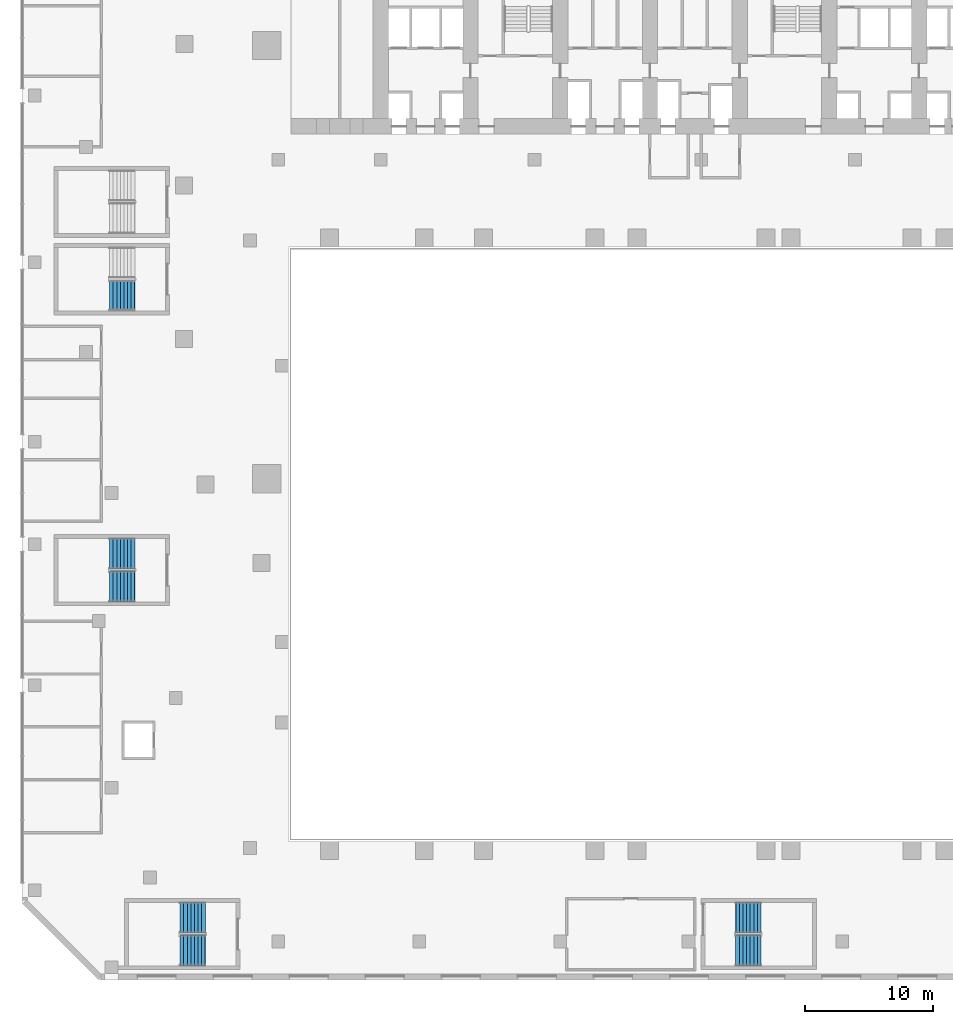
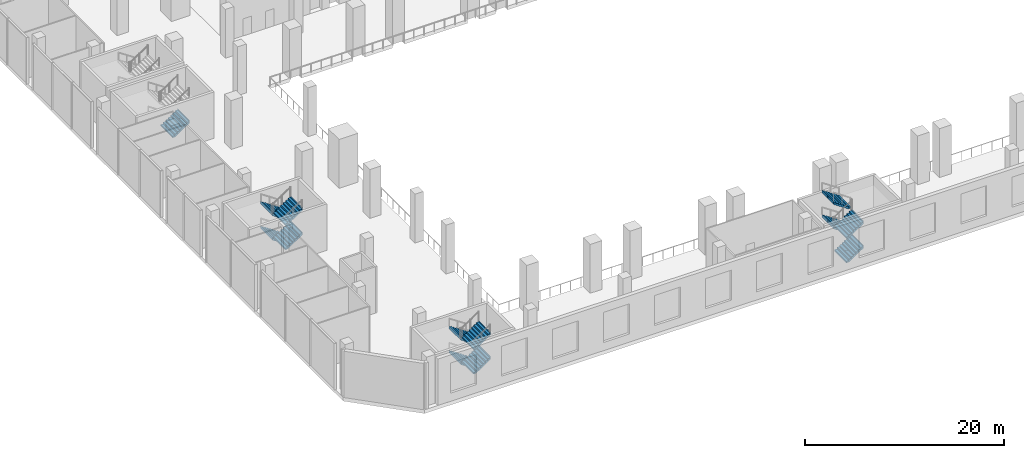
# One storey, part 18 of 30: 13 stair flights, 4 elements without a shape of their own.
"""IFC4 building model written with IfcOpenShell, lengths in metres."""

from ifc_helpers import new_model, si_unit, direction, frame, origin, place, context, subcontext, project, spatial, polyline, outline, extrude, material, type_object, element, aggregate, save


model = new_model("IFC4")

# Units and contexts
model_context = context("Model", 3, precision=1e-05, world=origin(), true_north=direction((0.0, 1.0)))
body_context = subcontext(model_context, "Body", "Model", "MODEL_VIEW")
ifc_project = project(units=[si_unit("LENGTHUNIT", "METRE"), si_unit("AREAUNIT", "SQUARE_METRE"), si_unit("VOLUMEUNIT", "CUBIC_METRE"), si_unit("PLANEANGLEUNIT", "RADIAN"), si_unit("MASSUNIT", "GRAM", prefix="KILO")], contexts=[model_context])

# Site, building, storey
site_placement = place(None, origin())
site = spatial("IfcSite", under=ifc_project, at=site_placement, CompositionType="ELEMENT")
building_placement = place(site_placement, origin())
building = spatial("IfcBuilding", under=site, at=building_placement, Name="Wharfspan Tower", CompositionType="ELEMENT")
storey_placement = place(building_placement, frame((0.0, 0.0, 21.5)))
storey = spatial("IfcBuildingStorey", under=building, at=storey_placement, Name="L03", CompositionType="ELEMENT", Elevation=21.5)

# Stair, stair flights
ifc_material = material(Name="Concrete C40/50", Category="concrete")
stair_type = type_object("IfcStairType", Name="Half-turn stair 2400 wide 32 risers 188 mm", PredefinedType="HALF_TURN_STAIR", material=ifc_material)
stair_1_placement = place(storey_placement, origin())
stair_1 = element("IfcStair", 1, at=stair_1_placement, inside=storey, type_object=stair_type, Name="L03 stair AS1", PredefinedType="HALF_TURN_STAIR")
stair_flight_type = type_object("IfcStairFlightType", Name="Stair flight 2400 wide 32 risers 188 mm", PredefinedType="STRAIGHT", material=ifc_material)
stair_flight_1_placement = place(storey_placement, frame((2.300049, -27.149902, 0.0), z_axis=(0.0, 0.0, 1.0), x_axis=(-1.0, 0.0, 0.0)))
stair_flight_1 = element("IfcStairFlight", 2, at=stair_flight_1_placement, type_object=stair_flight_type, Name="AS1 flight 1", NumberOfRisers=8, NumberOfTreads=7, PredefinedType="STRAIGHT", RiserHeight=0.1875, TreadLength=0.28, context=body_context, shape_type="SweptSolid", body=[
    extrude(outline(polyline([(-0.011963, 0.0), (-0.011963, 0.1875), (0.0, 0.1875), (0.280029, 0.1875), (0.280029, 0.375), (0.560059, 0.375), (0.560059, 0.5625), (0.840088, 0.5625), (0.840088, 0.75), (1.120117, 0.75), (1.120117, 0.9375), (1.399902, 0.9375), (1.399902, 1.125), (1.679932, 1.125), (1.679932, 1.3125), (1.959961, 1.3125), (1.971924, 1.5), (1.971924, 1.13208), (0.269531, 0.0), (-0.011963, 0.0)])), frame((0.0, 1.199951, 0.0), z_axis=(0.0, -1.0, 0.0), x_axis=(1.0, 0.0, 0.0)), (0.0, 0.0, 1.0), 1.179443),
    extrude(outline(polyline([(-0.011963, 0.0), (-0.011963, 0.1875), (0.0, 0.1875), (0.280029, 0.1875), (0.280029, 0.375), (0.560059, 0.375), (0.560059, 0.5625), (0.840088, 0.5625), (0.840088, 0.75), (1.120117, 0.75), (1.120117, 0.9375), (1.399902, 0.9375), (1.399902, 1.125), (1.679932, 1.125), (1.679932, 1.3125), (1.959961, 1.3125), (1.971924, 1.5), (1.971924, 1.13208), (0.269531, 0.0), (-0.011963, 0.0)])), frame((0.0, 0.019531, 0.0), z_axis=(0.0, -1.0, 0.0), x_axis=(1.0, 0.0, 0.0)), (0.0, 0.0, 1.0), 0.019043),
    extrude(outline(polyline([(-0.011963, 0.0), (-0.011963, 0.1875), (0.0, 0.1875), (0.280029, 0.1875), (0.280029, 0.375), (0.560059, 0.375), (0.560059, 0.5625), (0.840088, 0.5625), (0.840088, 0.75), (1.120117, 0.75), (1.120117, 0.9375), (1.399902, 0.9375), (1.399902, 1.125), (1.679932, 1.125), (1.679932, 1.3125), (1.959961, 1.3125), (1.971924, 1.5), (1.971924, 1.13208), (0.269531, 0.0), (-0.011963, 0.0)])), frame((0.0, -0.000488, 0.0), z_axis=(0.0, -1.0, 0.0), x_axis=(1.0, 0.0, 0.0)), (0.0, 0.0, 1.0), 0.019043),
    extrude(outline(polyline([(-0.011963, 0.0), (-0.011963, 0.1875), (0.0, 0.1875), (0.280029, 0.1875), (0.280029, 0.375), (0.560059, 0.375), (0.560059, 0.5625), (0.840088, 0.5625), (0.840088, 0.75), (1.120117, 0.75), (1.120117, 0.9375), (1.399902, 0.9375), (1.399902, 1.125), (1.679932, 1.125), (1.679932, 1.3125), (1.959961, 1.3125), (1.971924, 1.5), (1.971924, 1.13208), (0.269531, 0.0), (-0.011963, 0.0)])), frame((0.0, -0.020508, 0.0), z_axis=(0.0, -1.0, 0.0), x_axis=(1.0, 0.0, 0.0)), (0.0, 0.0, 1.0), 1.179443),
])
stair_flight_2_placement = place(storey_placement, frame((0.340088, -29.699951, 1.5), z_axis=(0.0, 0.0, 1.0), x_axis=(1.0, 0.0, 0.0)))
stair_flight_2 = element("IfcStairFlight", 3, at=stair_flight_2_placement, type_object=stair_flight_type, Name="AS1 flight 2", NumberOfRisers=8, NumberOfTreads=7, PredefinedType="STRAIGHT", RiserHeight=0.1875, TreadLength=0.28, context=body_context, shape_type="SweptSolid", body=[
    extrude(outline(polyline([(-0.011963, 0.0), (-0.011963, 0.1875), (0.0, 0.1875), (0.280029, 0.1875), (0.280029, 0.375), (0.560059, 0.375), (0.560059, 0.5625), (0.840088, 0.5625), (0.840088, 0.75), (1.120117, 0.75), (1.120117, 0.9375), (1.399902, 0.9375), (1.399902, 1.125), (1.679932, 1.125), (1.679932, 1.3125), (1.959961, 1.3125), (1.971924, 1.5), (1.971924, 1.13208), (0.269531, 0.0), (-0.011963, 0.0)])), frame((0.0, 1.199951, 0.0), z_axis=(0.0, -1.0, 0.0), x_axis=(1.0, 0.0, 0.0)), (0.0, 0.0, 1.0), 1.179443),
    extrude(outline(polyline([(-0.011963, 0.0), (-0.011963, 0.1875), (0.0, 0.1875), (0.280029, 0.1875), (0.280029, 0.375), (0.560059, 0.375), (0.560059, 0.5625), (0.840088, 0.5625), (0.840088, 0.75), (1.120117, 0.75), (1.120117, 0.9375), (1.399902, 0.9375), (1.399902, 1.125), (1.679932, 1.125), (1.679932, 1.3125), (1.959961, 1.3125), (1.971924, 1.5), (1.971924, 1.13208), (0.269531, 0.0), (-0.011963, 0.0)])), frame((0.0, 0.019531, 0.0), z_axis=(0.0, -1.0, 0.0), x_axis=(1.0, 0.0, 0.0)), (0.0, 0.0, 1.0), 0.019043),
    extrude(outline(polyline([(-0.011963, 0.0), (-0.011963, 0.1875), (0.0, 0.1875), (0.280029, 0.1875), (0.280029, 0.375), (0.560059, 0.375), (0.560059, 0.5625), (0.840088, 0.5625), (0.840088, 0.75), (1.120117, 0.75), (1.120117, 0.9375), (1.399902, 0.9375), (1.399902, 1.125), (1.679932, 1.125), (1.679932, 1.3125), (1.959961, 1.3125), (1.971924, 1.5), (1.971924, 1.13208), (0.269531, 0.0), (-0.011963, 0.0)])), frame((0.0, -0.000488, 0.0), z_axis=(0.0, -1.0, 0.0), x_axis=(1.0, 0.0, 0.0)), (0.0, 0.0, 1.0), 0.019043),
    extrude(outline(polyline([(-0.011963, 0.0), (-0.011963, 0.1875), (0.0, 0.1875), (0.280029, 0.1875), (0.280029, 0.375), (0.560059, 0.375), (0.560059, 0.5625), (0.840088, 0.5625), (0.840088, 0.75), (1.120117, 0.75), (1.120117, 0.9375), (1.399902, 0.9375), (1.399902, 1.125), (1.679932, 1.125), (1.679932, 1.3125), (1.959961, 1.3125), (1.971924, 1.5), (1.971924, 1.13208), (0.269531, 0.0), (-0.011963, 0.0)])), frame((0.0, -0.020508, 0.0), z_axis=(0.0, -1.0, 0.0), x_axis=(1.0, 0.0, 0.0)), (0.0, 0.0, 1.0), 1.179443),
])
stair_flight_3_placement = place(storey_placement, frame((2.300049, -27.149902, 3.0), z_axis=(0.0, 0.0, 1.0), x_axis=(-1.0, 0.0, 0.0)))
stair_flight_3 = element("IfcStairFlight", 4, at=stair_flight_3_placement, type_object=stair_flight_type, Name="AS1 flight 3", NumberOfRisers=8, NumberOfTreads=7, PredefinedType="STRAIGHT", RiserHeight=0.1875, TreadLength=0.28, context=body_context, shape_type="SweptSolid", body=[
    extrude(outline(polyline([(-0.011963, 0.0), (-0.011963, 0.1875), (0.0, 0.1875), (0.280029, 0.1875), (0.280029, 0.375), (0.560059, 0.375), (0.560059, 0.5625), (0.840088, 0.5625), (0.840088, 0.75), (1.120117, 0.75), (1.120117, 0.9375), (1.399902, 0.9375), (1.399902, 1.125), (1.679932, 1.125), (1.679932, 1.3125), (1.959961, 1.3125), (1.971924, 1.5), (1.971924, 1.13208), (0.269531, 0.0), (-0.011963, 0.0)])), frame((0.0, 1.199951, 0.0), z_axis=(0.0, -1.0, 0.0), x_axis=(1.0, 0.0, 0.0)), (0.0, 0.0, 1.0), 1.179443),
    extrude(outline(polyline([(-0.011963, 0.0), (-0.011963, 0.1875), (0.0, 0.1875), (0.280029, 0.1875), (0.280029, 0.375), (0.560059, 0.375), (0.560059, 0.5625), (0.840088, 0.5625), (0.840088, 0.75), (1.120117, 0.75), (1.120117, 0.9375), (1.399902, 0.9375), (1.399902, 1.125), (1.679932, 1.125), (1.679932, 1.3125), (1.959961, 1.3125), (1.971924, 1.5), (1.971924, 1.13208), (0.269531, 0.0), (-0.011963, 0.0)])), frame((0.0, 0.019531, 0.0), z_axis=(0.0, -1.0, 0.0), x_axis=(1.0, 0.0, 0.0)), (0.0, 0.0, 1.0), 0.019043),
    extrude(outline(polyline([(-0.011963, 0.0), (-0.011963, 0.1875), (0.0, 0.1875), (0.280029, 0.1875), (0.280029, 0.375), (0.560059, 0.375), (0.560059, 0.5625), (0.840088, 0.5625), (0.840088, 0.75), (1.120117, 0.75), (1.120117, 0.9375), (1.399902, 0.9375), (1.399902, 1.125), (1.679932, 1.125), (1.679932, 1.3125), (1.959961, 1.3125), (1.971924, 1.5), (1.971924, 1.13208), (0.269531, 0.0), (-0.011963, 0.0)])), frame((0.0, -0.000488, 0.0), z_axis=(0.0, -1.0, 0.0), x_axis=(1.0, 0.0, 0.0)), (0.0, 0.0, 1.0), 0.019043),
    extrude(outline(polyline([(-0.011963, 0.0), (-0.011963, 0.1875), (0.0, 0.1875), (0.280029, 0.1875), (0.280029, 0.375), (0.560059, 0.375), (0.560059, 0.5625), (0.840088, 0.5625), (0.840088, 0.75), (1.120117, 0.75), (1.120117, 0.9375), (1.399902, 0.9375), (1.399902, 1.125), (1.679932, 1.125), (1.679932, 1.3125), (1.959961, 1.3125), (1.971924, 1.5), (1.971924, 1.13208), (0.269531, 0.0), (-0.011963, 0.0)])), frame((0.0, -0.020508, 0.0), z_axis=(0.0, -1.0, 0.0), x_axis=(1.0, 0.0, 0.0)), (0.0, 0.0, 1.0), 1.179443),
])
stair_flight_4_placement = place(storey_placement, frame((0.340088, -29.699951, 4.5), z_axis=(0.0, 0.0, 1.0), x_axis=(1.0, 0.0, 0.0)))
stair_flight_4 = element("IfcStairFlight", 5, at=stair_flight_4_placement, type_object=stair_flight_type, Name="AS1 flight 4", NumberOfRisers=8, NumberOfTreads=7, PredefinedType="STRAIGHT", RiserHeight=0.1875, TreadLength=0.28, context=body_context, shape_type="SweptSolid", body=[
    extrude(outline(polyline([(-0.011963, 0.0), (-0.011963, 0.1875), (0.0, 0.1875), (0.280029, 0.1875), (0.280029, 0.375), (0.560059, 0.375), (0.560059, 0.5625), (0.840088, 0.5625), (0.840088, 0.75), (1.120117, 0.75), (1.120117, 0.9375), (1.399902, 0.9375), (1.399902, 1.125), (1.679932, 1.125), (1.679932, 1.3125), (1.959961, 1.3125), (1.971924, 1.5), (1.971924, 1.13208), (0.269531, 0.0), (-0.011963, 0.0)])), frame((0.0, 1.199951, 0.0), z_axis=(0.0, -1.0, 0.0), x_axis=(1.0, 0.0, 0.0)), (0.0, 0.0, 1.0), 1.179443),
    extrude(outline(polyline([(-0.011963, 0.0), (-0.011963, 0.1875), (0.0, 0.1875), (0.280029, 0.1875), (0.280029, 0.375), (0.560059, 0.375), (0.560059, 0.5625), (0.840088, 0.5625), (0.840088, 0.75), (1.120117, 0.75), (1.120117, 0.9375), (1.399902, 0.9375), (1.399902, 1.125), (1.679932, 1.125), (1.679932, 1.3125), (1.959961, 1.3125), (1.971924, 1.5), (1.971924, 1.13208), (0.269531, 0.0), (-0.011963, 0.0)])), frame((0.0, 0.019531, 0.0), z_axis=(0.0, -1.0, 0.0), x_axis=(1.0, 0.0, 0.0)), (0.0, 0.0, 1.0), 0.019043),
    extrude(outline(polyline([(-0.011963, 0.0), (-0.011963, 0.1875), (0.0, 0.1875), (0.280029, 0.1875), (0.280029, 0.375), (0.560059, 0.375), (0.560059, 0.5625), (0.840088, 0.5625), (0.840088, 0.75), (1.120117, 0.75), (1.120117, 0.9375), (1.399902, 0.9375), (1.399902, 1.125), (1.679932, 1.125), (1.679932, 1.3125), (1.959961, 1.3125), (1.971924, 1.5), (1.971924, 1.13208), (0.269531, 0.0), (-0.011963, 0.0)])), frame((0.0, -0.000488, 0.0), z_axis=(0.0, -1.0, 0.0), x_axis=(1.0, 0.0, 0.0)), (0.0, 0.0, 1.0), 0.019043),
    extrude(outline(polyline([(-0.011963, 0.0), (-0.011963, 0.1875), (0.0, 0.1875), (0.280029, 0.1875), (0.280029, 0.375), (0.560059, 0.375), (0.560059, 0.5625), (0.840088, 0.5625), (0.840088, 0.75), (1.120117, 0.75), (1.120117, 0.9375), (1.399902, 0.9375), (1.399902, 1.125), (1.679932, 1.125), (1.679932, 1.3125), (1.959961, 1.3125), (1.971924, 1.5), (1.971924, 1.13208), (0.269531, 0.0), (-0.011963, 0.0)])), frame((0.0, -0.020508, 0.0), z_axis=(0.0, -1.0, 0.0), x_axis=(1.0, 0.0, 0.0)), (0.0, 0.0, 1.0), 1.179443),
])
aggregate(stair_1, [stair_flight_1, stair_flight_2, stair_flight_3, stair_flight_4])

stair_2_placement = place(storey_placement, origin())
stair_2 = element("IfcStair", 6, at=stair_2_placement, inside=storey, type_object=stair_type, Name="L03 stair AS5", PredefinedType="HALF_TURN_STAIR")
stair_flight_5_placement = place(storey_placement, frame((43.699951, -29.699951, 0.0), z_axis=(0.0, 0.0, 1.0), x_axis=(1.0, 0.0, 0.0)))
stair_flight_5 = element("IfcStairFlight", 7, at=stair_flight_5_placement, type_object=stair_flight_type, Name="AS5 flight 1", NumberOfRisers=8, NumberOfTreads=7, PredefinedType="STRAIGHT", RiserHeight=0.1875, TreadLength=0.28, context=body_context, shape_type="SweptSolid", body=[
    extrude(outline(polyline([(-0.011963, 0.0), (-0.011963, 0.1875), (0.0, 0.1875), (0.280029, 0.1875), (0.280029, 0.375), (0.560059, 0.375), (0.560059, 0.5625), (0.840088, 0.5625), (0.840088, 0.75), (1.120117, 0.75), (1.120117, 0.9375), (1.399902, 0.9375), (1.399902, 1.125), (1.679932, 1.125), (1.679932, 1.3125), (1.959961, 1.3125), (1.971924, 1.5), (1.971924, 1.13208), (0.269531, 0.0), (-0.011963, 0.0)])), frame((0.0, 1.199951, 0.0), z_axis=(0.0, -1.0, 0.0), x_axis=(1.0, 0.0, 0.0)), (0.0, 0.0, 1.0), 1.179443),
    extrude(outline(polyline([(-0.011963, 0.0), (-0.011963, 0.1875), (0.0, 0.1875), (0.280029, 0.1875), (0.280029, 0.375), (0.560059, 0.375), (0.560059, 0.5625), (0.840088, 0.5625), (0.840088, 0.75), (1.120117, 0.75), (1.120117, 0.9375), (1.399902, 0.9375), (1.399902, 1.125), (1.679932, 1.125), (1.679932, 1.3125), (1.959961, 1.3125), (1.971924, 1.5), (1.971924, 1.13208), (0.269531, 0.0), (-0.011963, 0.0)])), frame((0.0, 0.019531, 0.0), z_axis=(0.0, -1.0, 0.0), x_axis=(1.0, 0.0, 0.0)), (0.0, 0.0, 1.0), 0.019043),
    extrude(outline(polyline([(-0.011963, 0.0), (-0.011963, 0.1875), (0.0, 0.1875), (0.280029, 0.1875), (0.280029, 0.375), (0.560059, 0.375), (0.560059, 0.5625), (0.840088, 0.5625), (0.840088, 0.75), (1.120117, 0.75), (1.120117, 0.9375), (1.399902, 0.9375), (1.399902, 1.125), (1.679932, 1.125), (1.679932, 1.3125), (1.959961, 1.3125), (1.971924, 1.5), (1.971924, 1.13208), (0.269531, 0.0), (-0.011963, 0.0)])), frame((0.0, -0.000488, 0.0), z_axis=(0.0, -1.0, 0.0), x_axis=(1.0, 0.0, 0.0)), (0.0, 0.0, 1.0), 0.019043),
    extrude(outline(polyline([(-0.011963, 0.0), (-0.011963, 0.1875), (0.0, 0.1875), (0.280029, 0.1875), (0.280029, 0.375), (0.560059, 0.375), (0.560059, 0.5625), (0.840088, 0.5625), (0.840088, 0.75), (1.120117, 0.75), (1.120117, 0.9375), (1.399902, 0.9375), (1.399902, 1.125), (1.679932, 1.125), (1.679932, 1.3125), (1.959961, 1.3125), (1.971924, 1.5), (1.971924, 1.13208), (0.269531, 0.0), (-0.011963, 0.0)])), frame((0.0, -0.020508, 0.0), z_axis=(0.0, -1.0, 0.0), x_axis=(1.0, 0.0, 0.0)), (0.0, 0.0, 1.0), 1.179443),
])
stair_flight_6_placement = place(storey_placement, frame((45.659912, -27.149902, 1.5), z_axis=(0.0, 0.0, 1.0), x_axis=(-1.0, 0.0, 0.0)))
stair_flight_6 = element("IfcStairFlight", 8, at=stair_flight_6_placement, type_object=stair_flight_type, Name="AS5 flight 2", NumberOfRisers=8, NumberOfTreads=7, PredefinedType="STRAIGHT", RiserHeight=0.1875, TreadLength=0.28, context=body_context, shape_type="SweptSolid", body=[
    extrude(outline(polyline([(-0.011963, 0.0), (-0.011963, 0.1875), (0.0, 0.1875), (0.280029, 0.1875), (0.280029, 0.375), (0.560059, 0.375), (0.560059, 0.5625), (0.840088, 0.5625), (0.840088, 0.75), (1.120117, 0.75), (1.120117, 0.9375), (1.399902, 0.9375), (1.399902, 1.125), (1.679932, 1.125), (1.679932, 1.3125), (1.959961, 1.3125), (1.971924, 1.5), (1.971924, 1.13208), (0.269531, 0.0), (-0.011963, 0.0)])), frame((0.0, 1.199951, 0.0), z_axis=(0.0, -1.0, 0.0), x_axis=(1.0, 0.0, 0.0)), (0.0, 0.0, 1.0), 1.179443),
    extrude(outline(polyline([(-0.011963, 0.0), (-0.011963, 0.1875), (0.0, 0.1875), (0.280029, 0.1875), (0.280029, 0.375), (0.560059, 0.375), (0.560059, 0.5625), (0.840088, 0.5625), (0.840088, 0.75), (1.120117, 0.75), (1.120117, 0.9375), (1.399902, 0.9375), (1.399902, 1.125), (1.679932, 1.125), (1.679932, 1.3125), (1.959961, 1.3125), (1.971924, 1.5), (1.971924, 1.13208), (0.269531, 0.0), (-0.011963, 0.0)])), frame((0.0, 0.019531, 0.0), z_axis=(0.0, -1.0, 0.0), x_axis=(1.0, 0.0, 0.0)), (0.0, 0.0, 1.0), 0.019043),
    extrude(outline(polyline([(-0.011963, 0.0), (-0.011963, 0.1875), (0.0, 0.1875), (0.280029, 0.1875), (0.280029, 0.375), (0.560059, 0.375), (0.560059, 0.5625), (0.840088, 0.5625), (0.840088, 0.75), (1.120117, 0.75), (1.120117, 0.9375), (1.399902, 0.9375), (1.399902, 1.125), (1.679932, 1.125), (1.679932, 1.3125), (1.959961, 1.3125), (1.971924, 1.5), (1.971924, 1.13208), (0.269531, 0.0), (-0.011963, 0.0)])), frame((0.0, -0.000488, 0.0), z_axis=(0.0, -1.0, 0.0), x_axis=(1.0, 0.0, 0.0)), (0.0, 0.0, 1.0), 0.019043),
    extrude(outline(polyline([(-0.011963, 0.0), (-0.011963, 0.1875), (0.0, 0.1875), (0.280029, 0.1875), (0.280029, 0.375), (0.560059, 0.375), (0.560059, 0.5625), (0.840088, 0.5625), (0.840088, 0.75), (1.120117, 0.75), (1.120117, 0.9375), (1.399902, 0.9375), (1.399902, 1.125), (1.679932, 1.125), (1.679932, 1.3125), (1.959961, 1.3125), (1.971924, 1.5), (1.971924, 1.13208), (0.269531, 0.0), (-0.011963, 0.0)])), frame((0.0, -0.020508, 0.0), z_axis=(0.0, -1.0, 0.0), x_axis=(1.0, 0.0, 0.0)), (0.0, 0.0, 1.0), 1.179443),
])
stair_flight_7_placement = place(storey_placement, frame((43.699951, -29.699951, 3.0), z_axis=(0.0, 0.0, 1.0), x_axis=(1.0, 0.0, 0.0)))
stair_flight_7 = element("IfcStairFlight", 9, at=stair_flight_7_placement, type_object=stair_flight_type, Name="AS5 flight 3", NumberOfRisers=8, NumberOfTreads=7, PredefinedType="STRAIGHT", RiserHeight=0.1875, TreadLength=0.28, context=body_context, shape_type="SweptSolid", body=[
    extrude(outline(polyline([(-0.011963, 0.0), (-0.011963, 0.1875), (0.0, 0.1875), (0.280029, 0.1875), (0.280029, 0.375), (0.560059, 0.375), (0.560059, 0.5625), (0.840088, 0.5625), (0.840088, 0.75), (1.120117, 0.75), (1.120117, 0.9375), (1.399902, 0.9375), (1.399902, 1.125), (1.679932, 1.125), (1.679932, 1.3125), (1.959961, 1.3125), (1.971924, 1.5), (1.971924, 1.13208), (0.269531, 0.0), (-0.011963, 0.0)])), frame((0.0, 1.199951, 0.0), z_axis=(0.0, -1.0, 0.0), x_axis=(1.0, 0.0, 0.0)), (0.0, 0.0, 1.0), 1.179443),
    extrude(outline(polyline([(-0.011963, 0.0), (-0.011963, 0.1875), (0.0, 0.1875), (0.280029, 0.1875), (0.280029, 0.375), (0.560059, 0.375), (0.560059, 0.5625), (0.840088, 0.5625), (0.840088, 0.75), (1.120117, 0.75), (1.120117, 0.9375), (1.399902, 0.9375), (1.399902, 1.125), (1.679932, 1.125), (1.679932, 1.3125), (1.959961, 1.3125), (1.971924, 1.5), (1.971924, 1.13208), (0.269531, 0.0), (-0.011963, 0.0)])), frame((0.0, 0.019531, 0.0), z_axis=(0.0, -1.0, 0.0), x_axis=(1.0, 0.0, 0.0)), (0.0, 0.0, 1.0), 0.019043),
    extrude(outline(polyline([(-0.011963, 0.0), (-0.011963, 0.1875), (0.0, 0.1875), (0.280029, 0.1875), (0.280029, 0.375), (0.560059, 0.375), (0.560059, 0.5625), (0.840088, 0.5625), (0.840088, 0.75), (1.120117, 0.75), (1.120117, 0.9375), (1.399902, 0.9375), (1.399902, 1.125), (1.679932, 1.125), (1.679932, 1.3125), (1.959961, 1.3125), (1.971924, 1.5), (1.971924, 1.13208), (0.269531, 0.0), (-0.011963, 0.0)])), frame((0.0, -0.000488, 0.0), z_axis=(0.0, -1.0, 0.0), x_axis=(1.0, 0.0, 0.0)), (0.0, 0.0, 1.0), 0.019043),
    extrude(outline(polyline([(-0.011963, 0.0), (-0.011963, 0.1875), (0.0, 0.1875), (0.280029, 0.1875), (0.280029, 0.375), (0.560059, 0.375), (0.560059, 0.5625), (0.840088, 0.5625), (0.840088, 0.75), (1.120117, 0.75), (1.120117, 0.9375), (1.399902, 0.9375), (1.399902, 1.125), (1.679932, 1.125), (1.679932, 1.3125), (1.959961, 1.3125), (1.971924, 1.5), (1.971924, 1.13208), (0.269531, 0.0), (-0.011963, 0.0)])), frame((0.0, -0.020508, 0.0), z_axis=(0.0, -1.0, 0.0), x_axis=(1.0, 0.0, 0.0)), (0.0, 0.0, 1.0), 1.179443),
])
stair_flight_8_placement = place(storey_placement, frame((45.659912, -27.149902, 4.5), z_axis=(0.0, 0.0, 1.0), x_axis=(-1.0, 0.0, 0.0)))
stair_flight_8 = element("IfcStairFlight", 10, at=stair_flight_8_placement, type_object=stair_flight_type, Name="AS5 flight 4", NumberOfRisers=8, NumberOfTreads=7, PredefinedType="STRAIGHT", RiserHeight=0.1875, TreadLength=0.28, context=body_context, shape_type="SweptSolid", body=[
    extrude(outline(polyline([(-0.011963, 0.0), (-0.011963, 0.1875), (0.0, 0.1875), (0.280029, 0.1875), (0.280029, 0.375), (0.560059, 0.375), (0.560059, 0.5625), (0.840088, 0.5625), (0.840088, 0.75), (1.120117, 0.75), (1.120117, 0.9375), (1.399902, 0.9375), (1.399902, 1.125), (1.679932, 1.125), (1.679932, 1.3125), (1.959961, 1.3125), (1.971924, 1.5), (1.971924, 1.13208), (0.269531, 0.0), (-0.011963, 0.0)])), frame((0.0, 1.199951, 0.0), z_axis=(0.0, -1.0, 0.0), x_axis=(1.0, 0.0, 0.0)), (0.0, 0.0, 1.0), 1.179443),
    extrude(outline(polyline([(-0.011963, 0.0), (-0.011963, 0.1875), (0.0, 0.1875), (0.280029, 0.1875), (0.280029, 0.375), (0.560059, 0.375), (0.560059, 0.5625), (0.840088, 0.5625), (0.840088, 0.75), (1.120117, 0.75), (1.120117, 0.9375), (1.399902, 0.9375), (1.399902, 1.125), (1.679932, 1.125), (1.679932, 1.3125), (1.959961, 1.3125), (1.971924, 1.5), (1.971924, 1.13208), (0.269531, 0.0), (-0.011963, 0.0)])), frame((0.0, 0.019531, 0.0), z_axis=(0.0, -1.0, 0.0), x_axis=(1.0, 0.0, 0.0)), (0.0, 0.0, 1.0), 0.019043),
    extrude(outline(polyline([(-0.011963, 0.0), (-0.011963, 0.1875), (0.0, 0.1875), (0.280029, 0.1875), (0.280029, 0.375), (0.560059, 0.375), (0.560059, 0.5625), (0.840088, 0.5625), (0.840088, 0.75), (1.120117, 0.75), (1.120117, 0.9375), (1.399902, 0.9375), (1.399902, 1.125), (1.679932, 1.125), (1.679932, 1.3125), (1.959961, 1.3125), (1.971924, 1.5), (1.971924, 1.13208), (0.269531, 0.0), (-0.011963, 0.0)])), frame((0.0, -0.000488, 0.0), z_axis=(0.0, -1.0, 0.0), x_axis=(1.0, 0.0, 0.0)), (0.0, 0.0, 1.0), 0.019043),
    extrude(outline(polyline([(-0.011963, 0.0), (-0.011963, 0.1875), (0.0, 0.1875), (0.280029, 0.1875), (0.280029, 0.375), (0.560059, 0.375), (0.560059, 0.5625), (0.840088, 0.5625), (0.840088, 0.75), (1.120117, 0.75), (1.120117, 0.9375), (1.399902, 0.9375), (1.399902, 1.125), (1.679932, 1.125), (1.679932, 1.3125), (1.959961, 1.3125), (1.971924, 1.5), (1.971924, 1.13208), (0.269531, 0.0), (-0.011963, 0.0)])), frame((0.0, -0.020508, 0.0), z_axis=(0.0, -1.0, 0.0), x_axis=(1.0, 0.0, 0.0)), (0.0, 0.0, 1.0), 1.179443),
])
aggregate(stair_2, [stair_flight_5, stair_flight_6, stair_flight_7, stair_flight_8])

stair_3_placement = place(storey_placement, origin())
stair_3 = element("IfcStair", 11, at=stair_3_placement, inside=storey, type_object=stair_type, Name="L03 stair AS7", PredefinedType="HALF_TURN_STAIR")
stair_flight_9_placement = place(storey_placement, frame((-3.199951, 1.25, 0.0), z_axis=(0.0, 0.0, 1.0), x_axis=(-1.0, 0.0, 0.0)))
stair_flight_9 = element("IfcStairFlight", 12, at=stair_flight_9_placement, type_object=stair_flight_type, Name="AS7 flight 1", NumberOfRisers=8, NumberOfTreads=7, PredefinedType="STRAIGHT", RiserHeight=0.1875, TreadLength=0.28, context=body_context, shape_type="SweptSolid", body=[
    extrude(outline(polyline([(-0.011963, 0.0), (-0.011963, 0.1875), (0.0, 0.1875), (0.280029, 0.1875), (0.280029, 0.375), (0.560059, 0.375), (0.560059, 0.5625), (0.840088, 0.5625), (0.840088, 0.75), (1.120117, 0.75), (1.120117, 0.9375), (1.399902, 0.9375), (1.399902, 1.125), (1.679932, 1.125), (1.679932, 1.3125), (1.959961, 1.3125), (1.971924, 1.5), (1.971924, 1.13208), (0.269531, 0.0), (-0.011963, 0.0)])), frame((0.0, 1.199951, 0.0), z_axis=(0.0, -1.0, 0.0), x_axis=(1.0, 0.0, 0.0)), (0.0, 0.0, 1.0), 1.179443),
    extrude(outline(polyline([(-0.011963, 0.0), (-0.011963, 0.1875), (0.0, 0.1875), (0.280029, 0.1875), (0.280029, 0.375), (0.560059, 0.375), (0.560059, 0.5625), (0.840088, 0.5625), (0.840088, 0.75), (1.120117, 0.75), (1.120117, 0.9375), (1.399902, 0.9375), (1.399902, 1.125), (1.679932, 1.125), (1.679932, 1.3125), (1.959961, 1.3125), (1.971924, 1.5), (1.971924, 1.13208), (0.269531, 0.0), (-0.011963, 0.0)])), frame((0.0, 0.019531, 0.0), z_axis=(0.0, -1.0, 0.0), x_axis=(1.0, 0.0, 0.0)), (0.0, 0.0, 1.0), 0.019043),
    extrude(outline(polyline([(-0.011963, 0.0), (-0.011963, 0.1875), (0.0, 0.1875), (0.280029, 0.1875), (0.280029, 0.375), (0.560059, 0.375), (0.560059, 0.5625), (0.840088, 0.5625), (0.840088, 0.75), (1.120117, 0.75), (1.120117, 0.9375), (1.399902, 0.9375), (1.399902, 1.125), (1.679932, 1.125), (1.679932, 1.3125), (1.959961, 1.3125), (1.971924, 1.5), (1.971924, 1.13208), (0.269531, 0.0), (-0.011963, 0.0)])), frame((0.0, -0.000488, 0.0), z_axis=(0.0, -1.0, 0.0), x_axis=(1.0, 0.0, 0.0)), (0.0, 0.0, 1.0), 0.019043),
    extrude(outline(polyline([(-0.011963, 0.0), (-0.011963, 0.1875), (0.0, 0.1875), (0.280029, 0.1875), (0.280029, 0.375), (0.560059, 0.375), (0.560059, 0.5625), (0.840088, 0.5625), (0.840088, 0.75), (1.120117, 0.75), (1.120117, 0.9375), (1.399902, 0.9375), (1.399902, 1.125), (1.679932, 1.125), (1.679932, 1.3125), (1.959961, 1.3125), (1.971924, 1.5), (1.971924, 1.13208), (0.269531, 0.0), (-0.011963, 0.0)])), frame((0.0, -0.020508, 0.0), z_axis=(0.0, -1.0, 0.0), x_axis=(1.0, 0.0, 0.0)), (0.0, 0.0, 1.0), 1.179443),
])
stair_flight_10_placement = place(storey_placement, frame((-5.159912, -1.300049, 1.5), z_axis=(0.0, 0.0, 1.0), x_axis=(1.0, 0.0, 0.0)))
stair_flight_10 = element("IfcStairFlight", 13, at=stair_flight_10_placement, type_object=stair_flight_type, Name="AS7 flight 2", NumberOfRisers=8, NumberOfTreads=7, PredefinedType="STRAIGHT", RiserHeight=0.1875, TreadLength=0.28, context=body_context, shape_type="SweptSolid", body=[
    extrude(outline(polyline([(-0.011963, 0.0), (-0.011963, 0.1875), (0.0, 0.1875), (0.280029, 0.1875), (0.280029, 0.375), (0.560059, 0.375), (0.560059, 0.5625), (0.840088, 0.5625), (0.840088, 0.75), (1.120117, 0.75), (1.120117, 0.9375), (1.399902, 0.9375), (1.399902, 1.125), (1.679932, 1.125), (1.679932, 1.3125), (1.959961, 1.3125), (1.971924, 1.5), (1.971924, 1.13208), (0.269531, 0.0), (-0.011963, 0.0)])), frame((0.0, 1.199951, 0.0), z_axis=(0.0, -1.0, 0.0), x_axis=(1.0, 0.0, 0.0)), (0.0, 0.0, 1.0), 1.179443),
    extrude(outline(polyline([(-0.011963, 0.0), (-0.011963, 0.1875), (0.0, 0.1875), (0.280029, 0.1875), (0.280029, 0.375), (0.560059, 0.375), (0.560059, 0.5625), (0.840088, 0.5625), (0.840088, 0.75), (1.120117, 0.75), (1.120117, 0.9375), (1.399902, 0.9375), (1.399902, 1.125), (1.679932, 1.125), (1.679932, 1.3125), (1.959961, 1.3125), (1.971924, 1.5), (1.971924, 1.13208), (0.269531, 0.0), (-0.011963, 0.0)])), frame((0.0, 0.019531, 0.0), z_axis=(0.0, -1.0, 0.0), x_axis=(1.0, 0.0, 0.0)), (0.0, 0.0, 1.0), 0.019043),
    extrude(outline(polyline([(-0.011963, 0.0), (-0.011963, 0.1875), (0.0, 0.1875), (0.280029, 0.1875), (0.280029, 0.375), (0.560059, 0.375), (0.560059, 0.5625), (0.840088, 0.5625), (0.840088, 0.75), (1.120117, 0.75), (1.120117, 0.9375), (1.399902, 0.9375), (1.399902, 1.125), (1.679932, 1.125), (1.679932, 1.3125), (1.959961, 1.3125), (1.971924, 1.5), (1.971924, 1.13208), (0.269531, 0.0), (-0.011963, 0.0)])), frame((0.0, -0.000488, 0.0), z_axis=(0.0, -1.0, 0.0), x_axis=(1.0, 0.0, 0.0)), (0.0, 0.0, 1.0), 0.019043),
    extrude(outline(polyline([(-0.011963, 0.0), (-0.011963, 0.1875), (0.0, 0.1875), (0.280029, 0.1875), (0.280029, 0.375), (0.560059, 0.375), (0.560059, 0.5625), (0.840088, 0.5625), (0.840088, 0.75), (1.120117, 0.75), (1.120117, 0.9375), (1.399902, 0.9375), (1.399902, 1.125), (1.679932, 1.125), (1.679932, 1.3125), (1.959961, 1.3125), (1.971924, 1.5), (1.971924, 1.13208), (0.269531, 0.0), (-0.011963, 0.0)])), frame((0.0, -0.020508, 0.0), z_axis=(0.0, -1.0, 0.0), x_axis=(1.0, 0.0, 0.0)), (0.0, 0.0, 1.0), 1.179443),
])
stair_flight_11_placement = place(storey_placement, frame((-3.199951, 1.25, 3.0), z_axis=(0.0, 0.0, 1.0), x_axis=(-1.0, 0.0, 0.0)))
stair_flight_11 = element("IfcStairFlight", 14, at=stair_flight_11_placement, type_object=stair_flight_type, Name="AS7 flight 3", NumberOfRisers=8, NumberOfTreads=7, PredefinedType="STRAIGHT", RiserHeight=0.1875, TreadLength=0.28, context=body_context, shape_type="SweptSolid", body=[
    extrude(outline(polyline([(-0.011963, 0.0), (-0.011963, 0.1875), (0.0, 0.1875), (0.280029, 0.1875), (0.280029, 0.375), (0.560059, 0.375), (0.560059, 0.5625), (0.840088, 0.5625), (0.840088, 0.75), (1.120117, 0.75), (1.120117, 0.9375), (1.399902, 0.9375), (1.399902, 1.125), (1.679932, 1.125), (1.679932, 1.3125), (1.959961, 1.3125), (1.971924, 1.5), (1.971924, 1.13208), (0.269531, 0.0), (-0.011963, 0.0)])), frame((0.0, 1.199951, 0.0), z_axis=(0.0, -1.0, 0.0), x_axis=(1.0, 0.0, 0.0)), (0.0, 0.0, 1.0), 1.179443),
    extrude(outline(polyline([(-0.011963, 0.0), (-0.011963, 0.1875), (0.0, 0.1875), (0.280029, 0.1875), (0.280029, 0.375), (0.560059, 0.375), (0.560059, 0.5625), (0.840088, 0.5625), (0.840088, 0.75), (1.120117, 0.75), (1.120117, 0.9375), (1.399902, 0.9375), (1.399902, 1.125), (1.679932, 1.125), (1.679932, 1.3125), (1.959961, 1.3125), (1.971924, 1.5), (1.971924, 1.13208), (0.269531, 0.0), (-0.011963, 0.0)])), frame((0.0, 0.019531, 0.0), z_axis=(0.0, -1.0, 0.0), x_axis=(1.0, 0.0, 0.0)), (0.0, 0.0, 1.0), 0.019043),
    extrude(outline(polyline([(-0.011963, 0.0), (-0.011963, 0.1875), (0.0, 0.1875), (0.280029, 0.1875), (0.280029, 0.375), (0.560059, 0.375), (0.560059, 0.5625), (0.840088, 0.5625), (0.840088, 0.75), (1.120117, 0.75), (1.120117, 0.9375), (1.399902, 0.9375), (1.399902, 1.125), (1.679932, 1.125), (1.679932, 1.3125), (1.959961, 1.3125), (1.971924, 1.5), (1.971924, 1.13208), (0.269531, 0.0), (-0.011963, 0.0)])), frame((0.0, -0.000488, 0.0), z_axis=(0.0, -1.0, 0.0), x_axis=(1.0, 0.0, 0.0)), (0.0, 0.0, 1.0), 0.019043),
    extrude(outline(polyline([(-0.011963, 0.0), (-0.011963, 0.1875), (0.0, 0.1875), (0.280029, 0.1875), (0.280029, 0.375), (0.560059, 0.375), (0.560059, 0.5625), (0.840088, 0.5625), (0.840088, 0.75), (1.120117, 0.75), (1.120117, 0.9375), (1.399902, 0.9375), (1.399902, 1.125), (1.679932, 1.125), (1.679932, 1.3125), (1.959961, 1.3125), (1.971924, 1.5), (1.971924, 1.13208), (0.269531, 0.0), (-0.011963, 0.0)])), frame((0.0, -0.020508, 0.0), z_axis=(0.0, -1.0, 0.0), x_axis=(1.0, 0.0, 0.0)), (0.0, 0.0, 1.0), 1.179443),
])
stair_flight_12_placement = place(storey_placement, frame((-5.159912, -1.300049, 4.5), z_axis=(0.0, 0.0, 1.0), x_axis=(1.0, 0.0, 0.0)))
stair_flight_12 = element("IfcStairFlight", 15, at=stair_flight_12_placement, type_object=stair_flight_type, Name="AS7 flight 4", NumberOfRisers=8, NumberOfTreads=7, PredefinedType="STRAIGHT", RiserHeight=0.1875, TreadLength=0.28, context=body_context, shape_type="SweptSolid", body=[
    extrude(outline(polyline([(-0.011963, 0.0), (-0.011963, 0.1875), (0.0, 0.1875), (0.280029, 0.1875), (0.280029, 0.375), (0.560059, 0.375), (0.560059, 0.5625), (0.840088, 0.5625), (0.840088, 0.75), (1.120117, 0.75), (1.120117, 0.9375), (1.399902, 0.9375), (1.399902, 1.125), (1.679932, 1.125), (1.679932, 1.3125), (1.959961, 1.3125), (1.971924, 1.5), (1.971924, 1.13208), (0.269531, 0.0), (-0.011963, 0.0)])), frame((0.0, 1.199951, 0.0), z_axis=(0.0, -1.0, 0.0), x_axis=(1.0, 0.0, 0.0)), (0.0, 0.0, 1.0), 1.179443),
    extrude(outline(polyline([(-0.011963, 0.0), (-0.011963, 0.1875), (0.0, 0.1875), (0.280029, 0.1875), (0.280029, 0.375), (0.560059, 0.375), (0.560059, 0.5625), (0.840088, 0.5625), (0.840088, 0.75), (1.120117, 0.75), (1.120117, 0.9375), (1.399902, 0.9375), (1.399902, 1.125), (1.679932, 1.125), (1.679932, 1.3125), (1.959961, 1.3125), (1.971924, 1.5), (1.971924, 1.13208), (0.269531, 0.0), (-0.011963, 0.0)])), frame((0.0, 0.019531, 0.0), z_axis=(0.0, -1.0, 0.0), x_axis=(1.0, 0.0, 0.0)), (0.0, 0.0, 1.0), 0.019043),
    extrude(outline(polyline([(-0.011963, 0.0), (-0.011963, 0.1875), (0.0, 0.1875), (0.280029, 0.1875), (0.280029, 0.375), (0.560059, 0.375), (0.560059, 0.5625), (0.840088, 0.5625), (0.840088, 0.75), (1.120117, 0.75), (1.120117, 0.9375), (1.399902, 0.9375), (1.399902, 1.125), (1.679932, 1.125), (1.679932, 1.3125), (1.959961, 1.3125), (1.971924, 1.5), (1.971924, 1.13208), (0.269531, 0.0), (-0.011963, 0.0)])), frame((0.0, -0.000488, 0.0), z_axis=(0.0, -1.0, 0.0), x_axis=(1.0, 0.0, 0.0)), (0.0, 0.0, 1.0), 0.019043),
    extrude(outline(polyline([(-0.011963, 0.0), (-0.011963, 0.1875), (0.0, 0.1875), (0.280029, 0.1875), (0.280029, 0.375), (0.560059, 0.375), (0.560059, 0.5625), (0.840088, 0.5625), (0.840088, 0.75), (1.120117, 0.75), (1.120117, 0.9375), (1.399902, 0.9375), (1.399902, 1.125), (1.679932, 1.125), (1.679932, 1.3125), (1.959961, 1.3125), (1.971924, 1.5), (1.971924, 1.13208), (0.269531, 0.0), (-0.011963, 0.0)])), frame((0.0, -0.020508, 0.0), z_axis=(0.0, -1.0, 0.0), x_axis=(1.0, 0.0, 0.0)), (0.0, 0.0, 1.0), 1.179443),
])
aggregate(stair_3, [stair_flight_9, stair_flight_10, stair_flight_11, stair_flight_12])

# Stair, stair flight
stair_4_placement = place(storey_placement, origin())
stair_4 = element("IfcStair", 16, at=stair_4_placement, inside=storey, type_object=stair_type, Name="L03 stair AS3", PredefinedType="HALF_TURN_STAIR")
stair_flight_13_placement = place(storey_placement, frame((-5.159912, 21.399902, 1.5), z_axis=(0.0, 0.0, 1.0), x_axis=(1.0, 0.0, 0.0)))
stair_flight_13 = element("IfcStairFlight", 17, at=stair_flight_13_placement, type_object=stair_flight_type, Name="AS3 flight 2", NumberOfRisers=8, NumberOfTreads=7, PredefinedType="STRAIGHT", RiserHeight=0.1875, TreadLength=0.28, context=body_context, shape_type="SweptSolid", body=[
    extrude(outline(polyline([(-0.011963, 0.0), (-0.011963, 0.1875), (0.0, 0.1875), (0.280029, 0.1875), (0.280029, 0.375), (0.560059, 0.375), (0.560059, 0.5625), (0.840088, 0.5625), (0.840088, 0.75), (1.120117, 0.75), (1.120117, 0.9375), (1.399902, 0.9375), (1.399902, 1.125), (1.679932, 1.125), (1.679932, 1.3125), (1.959961, 1.3125), (1.971924, 1.5), (1.971924, 1.13208), (0.269531, 0.0), (-0.011963, 0.0)])), frame((0.0, 1.199951, 0.0), z_axis=(0.0, -1.0, 0.0), x_axis=(1.0, 0.0, 0.0)), (0.0, 0.0, 1.0), 1.179443),
    extrude(outline(polyline([(-0.011963, 0.0), (-0.011963, 0.1875), (0.0, 0.1875), (0.280029, 0.1875), (0.280029, 0.375), (0.560059, 0.375), (0.560059, 0.5625), (0.840088, 0.5625), (0.840088, 0.75), (1.120117, 0.75), (1.120117, 0.9375), (1.399902, 0.9375), (1.399902, 1.125), (1.679932, 1.125), (1.679932, 1.3125), (1.959961, 1.3125), (1.971924, 1.5), (1.971924, 1.13208), (0.269531, 0.0), (-0.011963, 0.0)])), frame((0.0, 0.019531, 0.0), z_axis=(0.0, -1.0, 0.0), x_axis=(1.0, 0.0, 0.0)), (0.0, 0.0, 1.0), 0.019043),
    extrude(outline(polyline([(-0.011963, 0.0), (-0.011963, 0.1875), (0.0, 0.1875), (0.280029, 0.1875), (0.280029, 0.375), (0.560059, 0.375), (0.560059, 0.5625), (0.840088, 0.5625), (0.840088, 0.75), (1.120117, 0.75), (1.120117, 0.9375), (1.399902, 0.9375), (1.399902, 1.125), (1.679932, 1.125), (1.679932, 1.3125), (1.959961, 1.3125), (1.971924, 1.5), (1.971924, 1.13208), (0.269531, 0.0), (-0.011963, 0.0)])), frame((0.0, -0.000488, 0.0), z_axis=(0.0, -1.0, 0.0), x_axis=(1.0, 0.0, 0.0)), (0.0, 0.0, 1.0), 0.019043),
    extrude(outline(polyline([(-0.011963, 0.0), (-0.011963, 0.1875), (0.0, 0.1875), (0.280029, 0.1875), (0.280029, 0.375), (0.560059, 0.375), (0.560059, 0.5625), (0.840088, 0.5625), (0.840088, 0.75), (1.120117, 0.75), (1.120117, 0.9375), (1.399902, 0.9375), (1.399902, 1.125), (1.679932, 1.125), (1.679932, 1.3125), (1.959961, 1.3125), (1.971924, 1.5), (1.971924, 1.13208), (0.269531, 0.0), (-0.011963, 0.0)])), frame((0.0, -0.020508, 0.0), z_axis=(0.0, -1.0, 0.0), x_axis=(1.0, 0.0, 0.0)), (0.0, 0.0, 1.0), 1.179443),
])
aggregate(stair_4, [stair_flight_13])

save(model, "model.ifc")
